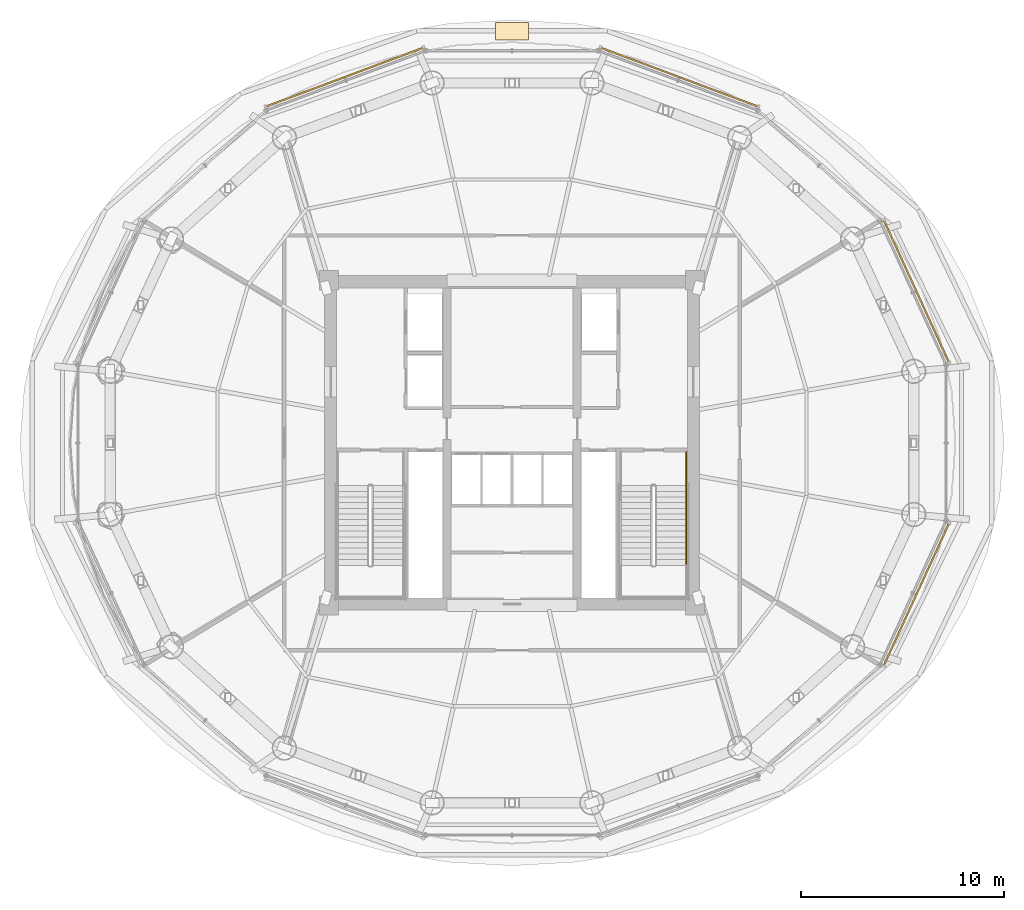
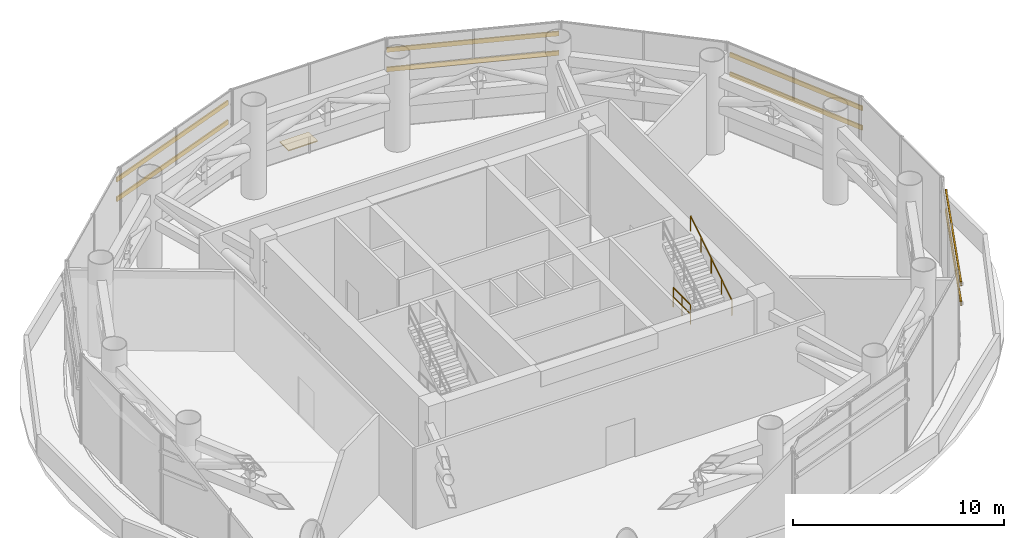
# One storey, part 25 of 25: 8 shading devices, 2 railings, 1 covering.
"""IFC4 building model written with IfcOpenShell, lengths in metres."""

from ifc_helpers import new_model, si_unit, direction, frame, origin, origin_2d, place, context, subcontext, project, spatial, rectangle, hollow_rectangle, extrude, source, transform, mapped, material, layer, layer_set, material_profile, profile_set, type_object, element, save


model = new_model("IFC4")

# Units and contexts
model_context = context("Model", 3, precision=1e-05, world=origin(), true_north=direction((-0.2419218956, 0.970295726276)))
body_context = subcontext(model_context, "Body", "Model", "MODEL_VIEW")
ifc_project = project(units=[si_unit("LENGTHUNIT", "METRE"), si_unit("AREAUNIT", "SQUARE_METRE"), si_unit("VOLUMEUNIT", "CUBIC_METRE"), si_unit("PLANEANGLEUNIT", "RADIAN"), si_unit("MASSUNIT", "GRAM", prefix="KILO")], contexts=[model_context])

# Site, building, storey
site_placement = place(None, origin())
site = spatial("IfcSite", under=ifc_project, at=site_placement, CompositionType="ELEMENT")
building_placement = place(site_placement, origin())
building = spatial("IfcBuilding", under=site, at=building_placement, Name="Cobrevalo Terracotta Tower", CompositionType="ELEMENT")
storey_placement = place(building_placement, frame((0.0, 0.0, 185.800048828125)))
storey = spatial("IfcBuildingStorey", under=building, at=storey_placement, Name="L49", CompositionType="ELEMENT", Elevation=185.800048828125)

# Railings
ifc_material_1 = material(Name="Brushed stainless steel", Category="steel")
railing_type_1 = type_object("IfcRailingType", Name="Stainless Steel Stair Handrail 900", PredefinedType="HANDRAIL", material=ifc_material_1)
railing_1_placement = place(storey_placement, frame((46.574951171875, 20.780029296875, 2.8798828125)))
element("IfcRailing", 1, at=railing_1_placement, inside=storey, type_object=railing_type_1, Name="L49 ST-2 stair handrail 2", PredefinedType="HANDRAIL", context=body_context, shape_type="SweptSolid", body=[
    extrude(rectangle(XDim=0.048095703125, YDim=0.048095703125, at=origin_2d()), frame((0.0, 0.0, 0.8759765625), z_axis=(0.0, 0.841171666519, 0.540768182723), x_axis=(-1.0, 0.0, 0.0)), (0.0, 0.0, 1.0), 4.66015625),
    extrude(rectangle(XDim=0.0419921875, YDim=0.0419921875, at=origin_2d()), origin(), (0.0, 0.0, 1.0), 0.851806640625),
    extrude(rectangle(XDim=0.0419921875, YDim=0.0419921875, at=origin_2d()), frame((0.0, 0.97998046875, 0.6298828125)), (0.0, 0.0, 1.0), 0.851806640625),
    extrude(rectangle(XDim=0.0419921875, YDim=0.0419921875, at=origin_2d()), frame((0.0, 1.9599609375, 1.260009765625)), (0.0, 0.0, 1.0), 0.851806640625),
    extrude(rectangle(XDim=0.0419921875, YDim=0.0419921875, at=origin_2d()), frame((0.0, 2.93994140625, 1.89013671875)), (0.0, 0.0, 1.0), 0.851806640625),
    extrude(rectangle(XDim=0.0419921875, YDim=0.0419921875, at=origin_2d()), frame((0.0, 3.919921875, 2.52001953125)), (0.0, 0.0, 1.0), 0.851806640625),
])
ifc_material_2 = material(Name="Painted galvanized steel", Category="steel")
railing_type_2 = type_object("IfcRailingType", Name="Stair Well Guard Balustrade 1150", PredefinedType="GUARDRAIL", material=ifc_material_2)
railing_2_placement = place(storey_placement, frame((46.574951171875, 26.35009765625, 0.0)))
element("IfcRailing", 2, at=railing_2_placement, inside=storey, type_object=railing_type_2, Name="L49 ST-2 stair guard 9", PredefinedType="GUARDRAIL", context=body_context, shape_type="SweptSolid", body=[
    extrude(rectangle(XDim=0.048095703125, YDim=0.048095703125, at=origin_2d()), frame((0.0, 0.0, 1.1259765625), z_axis=(0.0, -1.0, 0.0), x_axis=(1.0, 0.0, 0.0)), (0.0, 0.0, 1.0), 1.650146484375),
    extrude(rectangle(XDim=0.048095703125, YDim=0.048095703125, at=origin_2d()), frame((0.0, 0.0, 0.574951171875), z_axis=(0.0, -1.0, 0.0), x_axis=(1.0, 0.0, 0.0)), (0.0, 0.0, 1.0), 1.650146484375),
    extrude(rectangle(XDim=0.0419921875, YDim=0.0419921875, at=origin_2d()), origin(), (0.0, 0.0, 1.0), 1.101806640625),
    extrude(rectangle(XDim=0.0419921875, YDim=0.0419921875, at=origin_2d()), frame((0.0, -0.8251953125, 0.0)), (0.0, 0.0, 1.0), 1.101806640625),
    extrude(rectangle(XDim=0.0419921875, YDim=0.0419921875, at=origin_2d()), frame((0.0, -1.650146484375, 0.0)), (0.0, 0.0, 1.0), 1.101806640625),
])

# Shading devices
ifc_material_3 = material(Name="Anodized aluminium and terracotta", Category="masonry")
ifc_material_profile = material_profile(ifc_material_3, hollow_rectangle(XDim=0.074951171875, YDim=0.260009765625, WallThickness=0.006103515625, at=origin_2d()), Name="LOUVRE BLADE 75x260")
ifc_profile_set = profile_set([ifc_material_profile], Name="Anodized aluminium and terracotta")
shading_device_type = type_object("IfcShadingDeviceType", Name="Plant Acoustic Weather Louvre Blade 75x260", PredefinedType="USERDEFINED", material=ifc_profile_set)
shared_shape_1 = source(origin(), body_context, "Body", "SweptSolid", [
    extrude(hollow_rectangle(XDim=0.074951171875, YDim=0.260009765625, WallThickness=0.006103515625, at=origin_2d()), origin(), (0.0, 0.0, 1.0), 7.719970703125),
])
for number, where, z_axis, x_axis, name in (
    (3, (59.49853515625, 30.748779296875, 3.18359375), (-0.416712422731, 0.909038369235, 0.0), (-0.909038369235, -0.416712422731, 0.0), "CW-LV-L49-S01 horizontal terracotta louvre 1"),
    (4, (59.49853515625, 30.748779296875, 4.313232421875), (-0.416712422731, 0.909038369235, 0.0), (-0.909038369235, -0.416712422731, 0.0), "CW-LV-L49-S01 horizontal terracotta louvre 2"),
):
    element("IfcShadingDevice", number, at=place(storey_placement, frame(where, z_axis=z_axis, x_axis=x_axis)), inside=storey, type_object=shading_device_type, Name=name, ObjectType="LOUVRE", PredefinedType="USERDEFINED", context=body_context, shape_type="MappedRepresentation", body=[
        mapped(shared_shape_1, transform((0.0, 0.0, 0.0), scale=1.0)),
    ])
shared_shape_2 = source(origin(), body_context, "Body", "SweptSolid", [
    extrude(hollow_rectangle(XDim=0.074951171875, YDim=0.260009765625, WallThickness=0.006103515625, at=origin_2d()), origin(), (0.0, 0.0, 1.0), 8.29931640625),
])
for number, where, z_axis, x_axis, name in (
    (5, (50.120361328125, 43.337646484375, 3.18359375), (-0.936559881081, 0.350507616392, 0.0), (-0.350507616392, -0.936559881081, 0.0), "CW-LV-L49-S03 horizontal terracotta louvre 1"),
    (6, (50.120361328125, 43.337646484375, 4.313232421875), (-0.936559881081, 0.350507616392, 0.0), (-0.350507616392, -0.936559881081, 0.0), "CW-LV-L49-S03 horizontal terracotta louvre 2"),
    (7, (33.65234375, 46.24658203125, 3.18359375), (-0.936559881081, -0.350507616392, 0.0), (0.350507616392, -0.936559881081, 0.0), "CW-LV-L49-S05 horizontal terracotta louvre 1"),
    (8, (33.65234375, 46.24658203125, 4.313232421875), (-0.936559881081, -0.350507616392, 0.0), (0.350507616392, -0.936559881081, 0.0), "CW-LV-L49-S05 horizontal terracotta louvre 2"),
):
    element("IfcShadingDevice", number, at=place(storey_placement, frame(where, z_axis=z_axis, x_axis=x_axis)), inside=storey, type_object=shading_device_type, Name=name, ObjectType="LOUVRE", PredefinedType="USERDEFINED", context=body_context, shape_type="MappedRepresentation", body=[
        mapped(shared_shape_2, transform((0.0, 0.0, 0.0), scale=1.0)),
    ])
shared_shape_3 = source(origin(), body_context, "Body", "SweptSolid", [
    extrude(hollow_rectangle(XDim=0.074951171875, YDim=0.260009765625, WallThickness=0.006103515625, at=origin_2d()), origin(), (0.0, 0.0, 1.0), 7.72021484375),
])
for number, where, z_axis, x_axis, name in (
    (9, (56.281494140625, 15.833251953125, 3.18359375), (0.416700443543, 0.909043860521, 0.0), (-0.909043860521, 0.416700443543, 0.0), "CW-LV-L49-S15 horizontal terracotta louvre 1"),
    (10, (56.281494140625, 15.833251953125, 4.313232421875), (0.416700443543, 0.909043860521, 0.0), (-0.909043860521, 0.416700443543, 0.0), "CW-LV-L49-S15 horizontal terracotta louvre 2"),
):
    element("IfcShadingDevice", number, at=place(storey_placement, frame(where, z_axis=z_axis, x_axis=x_axis)), inside=storey, type_object=shading_device_type, Name=name, ObjectType="LOUVRE", PredefinedType="USERDEFINED", context=body_context, shape_type="MappedRepresentation", body=[
        mapped(shared_shape_3, transform((0.0, 0.0, 0.0), scale=1.0)),
    ])

# Covering
ifc_material_4 = material(Name="Insulated TPO roof waterproofing membrane", Category="bitumen")
ifc_layer = layer(ifc_material_4, 0.06005859375)
ifc_layer_set = layer_set([ifc_layer], Name="Insulated TPO roof waterproofing membrane")
covering_type = type_object("IfcCoveringType", Name="Insulated UV-reflective waterproof roof membrane 60 mm", PredefinedType="ROOFING", material=ifc_layer_set)
shared_shape_4 = source(origin(), body_context, "Body", "SweptSolid", [
    extrude(rectangle(XDim=1.60009765625, YDim=0.85009765625, at=origin_2d()), origin(), (0.0, 0.0, 1.0), 0.06005859375),
])
covering_placement = place(storey_placement, frame((38.0, 47.050048828125, 0.0), z_axis=(0.0, 0.0, 1.0), x_axis=(1.0, 0.0, 0.0)))
element("IfcCovering", 11, at=covering_placement, inside=storey, type_object=covering_type, Name="L49 setback waterproof roof membrane", PredefinedType="ROOFING", context=body_context, shape_type="MappedRepresentation", body=[
    mapped(shared_shape_4, transform((0.0, 0.0, 0.0), scale=1.0)),
])

save(model, "model.ifc")
